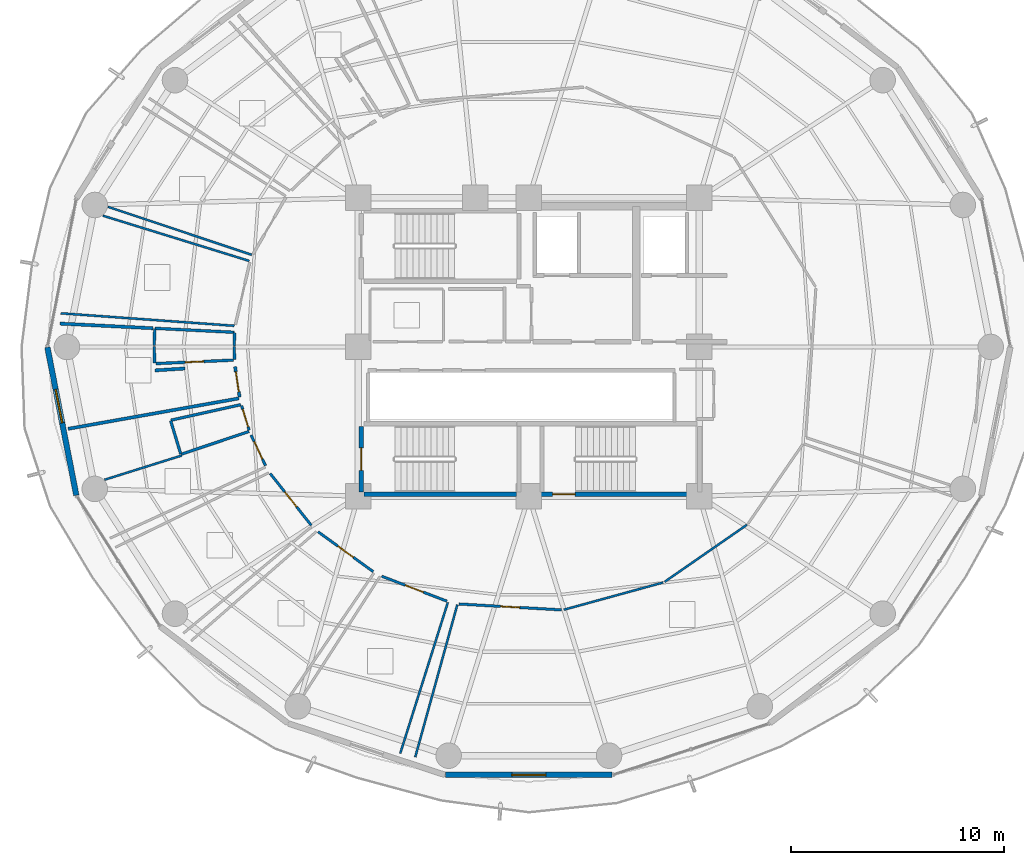
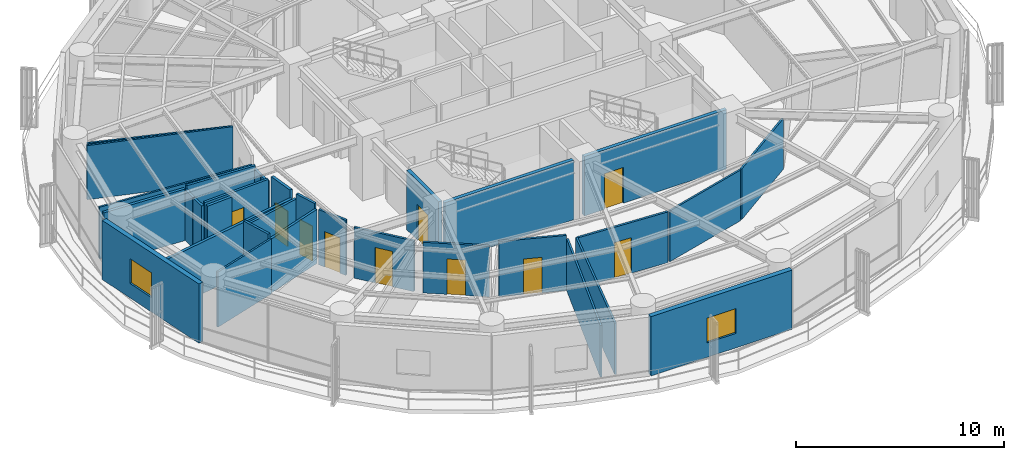
# One storey, part 21 of 28: 32 walls, 10 doors, 2 windows, 12 openings.
"""IFC4 building model written with IfcOpenShell, lengths in metres."""

from ifc_helpers import new_model, si_unit, direction, frame, frame_2d, origin, place, context, subcontext, project, spatial, rectangle, extrude, material, layer, layer_set, type_object, element, fill, save


model = new_model("IFC4")

# Units and contexts
model_context = context("Model", 3, precision=1e-05, world=origin(), true_north=direction((0.0, 1.0)))
body_context = subcontext(model_context, "Body", "Model", "MODEL_VIEW")
ifc_project = project(units=[si_unit("LENGTHUNIT", "METRE"), si_unit("AREAUNIT", "SQUARE_METRE"), si_unit("VOLUMEUNIT", "CUBIC_METRE"), si_unit("PLANEANGLEUNIT", "RADIAN"), si_unit("MASSUNIT", "GRAM", prefix="KILO")], contexts=[model_context])

# Site, building, storey
site_placement = place(None, origin())
site = spatial("IfcSite", under=ifc_project, at=site_placement, CompositionType="ELEMENT")
building_placement = place(site_placement, origin())
building = spatial("IfcBuilding", under=site, at=building_placement, Name="Kelanora Arch Commons", CompositionType="ELEMENT")
storey_placement = place(building_placement, frame((0.0, 0.0, 180.60009765625)))
storey = spatial("IfcBuildingStorey", under=building, at=storey_placement, Name="L46", CompositionType="ELEMENT", Elevation=180.60009765625)

# Wall, opening, door
ifc_material_1 = material(Name="Autoclaved aerated concrete blockwork with fire plaster", Category="masonry")
ifc_layer_1 = layer(ifc_material_1, 0.14990234375)
ifc_layer_set_1 = layer_set([ifc_layer_1], Name="Autoclaved aerated concrete blockwork with fire plaster")
wall_type_1 = type_object("IfcWallType", Name="W-COMP-150", PredefinedType="PARTITIONING", material=ifc_layer_set_1)
wall_1_placement = place(storey_placement, frame((60.212890625, 57.07568359375, 0.0), z_axis=(0.0, 0.0, 1.0), x_axis=(0.146099718117, -0.98926986832, 0.0)))
wall_1 = element("IfcWall", 1, at=wall_1_placement, inside=storey, type_object=wall_type_1, Name="Co-Living Studio L46-05 Entry Partition", PredefinedType="PARTITIONING", context=body_context, shape_type="SweptSolid", body=[
    extrude(rectangle(XDim=1.438720703125, YDim=0.14990234375, at=frame_2d((0.71923828125, 0.0))), origin(), (0.0, 0.0, 1.0), 3.47998046875),
])
opening_1_placement = place(wall_1_placement, frame((0.243896484375, 0.0, 0.0)))
opening_1 = element("IfcOpeningElement", 2, at=opening_1_placement, cuts=wall_1, Name="Opening D-CLU1", PredefinedType="OPENING", context=body_context, shape_type="SweptSolid", body=[
    extrude(rectangle(XDim=0.949951171875, YDim=2.080078125, at=frame_2d((0.47509765625, 1.0400390625))), frame((0.0, 0.0849609375, 0.0), z_axis=(0.0, -1.0, 0.0), x_axis=(1.0, 0.0, 0.0)), (0.0, 0.0, 1.0), 0.169921875),
])
ifc_material_2 = material(Name="Solid-core acoustic timber cluster entry fire door", Category="wood")
door_type_1 = type_object("IfcDoorType", Name="D-CLU-95", OperationType="NOTDEFINED", PredefinedType="DOOR", material=ifc_material_2)
door_1_placement = place(opening_1_placement, origin())
door_1 = element("IfcDoor", 3, at=door_1_placement, inside=storey, type_object=door_type_1, Name="Co-Living Studio L46-05 Door", OperationType="SINGLE_SWING_RIGHT", OverallHeight=2.080078125, OverallWidth=0.949951171875, PredefinedType="DOOR", context=body_context, shape_type="SweptSolid", body=[
    extrude(rectangle(XDim=0.949951171875, YDim=2.080078125, at=frame_2d((0.47509765625, 1.0400390625))), frame((0.0, 0.02490234375, 0.0), z_axis=(0.0, -1.0, 0.0), x_axis=(1.0, 0.0, 0.0)), (0.0, 0.0, 1.0), 0.050048828125),
])
fill(opening_1, door_1)

# Walls
wall_2_placement = place(storey_placement, frame((60.392578125, 55.5859375, 0.0), z_axis=(0.0, 0.0, 1.0), x_axis=(-0.984476835755, -0.175514557407, 0.0)))
element("IfcWall", 4, at=wall_2_placement, inside=storey, type_object=wall_type_1, Name="Co-Living Studio L46-05 Enclosure Partition 2", PredefinedType="PARTITIONING", context=body_context, shape_type="SweptSolid", body=[
    extrude(rectangle(XDim=8.1416015625, YDim=0.14990234375, at=frame_2d((4.07080078125, 0.0))), origin(), (0.0, 0.0, 1.0), 3.02490234375),
])
wall_3_placement = place(storey_placement, frame((51.993896484375, 59.095947265625, 0.0), z_axis=(0.0, 0.0, 1.0), x_axis=(0.998756789481, -0.049848525207, 0.0)))
element("IfcWall", 5, at=wall_3_placement, inside=storey, type_object=wall_type_1, Name="Co-Living Studio L46-05 Enclosure Partition 5", PredefinedType="PARTITIONING", context=body_context, shape_type="SweptSolid", body=[
    extrude(rectangle(XDim=4.37353515625, YDim=0.14990234375, at=frame_2d((2.186767578125, 0.0))), origin(), (0.0, 0.0, 1.0), 3.02490234375),
])
wall_4_placement = place(storey_placement, frame((56.4580078125, 56.8994140625, 0.0), z_axis=(0.0, 0.0, 1.0), x_axis=(0.998023505666, 0.062841722907, 0.0)))
element("IfcWall", 6, at=wall_4_placement, inside=storey, type_object=wall_type_1, Name="Co-Living Studio L46-05 Enclosure Partition 7", PredefinedType="PARTITIONING", context=body_context, shape_type="SweptSolid", body=[
    extrude(rectangle(XDim=1.41015625, YDim=0.14990234375, at=frame_2d((0.705078125, 0.0))), origin(), (0.0, 0.0, 1.0), 3.1748046875),
])

# Wall, opening, window
ifc_material_3 = material(Name="Precast concrete C40/50 with terracotta rainscreen", Category="masonry")
ifc_layer_2 = layer(ifc_material_3, 0.260009765625)
ifc_layer_set_2 = layer_set([ifc_layer_2], Name="Precast concrete C40/50 with terracotta rainscreen")
wall_type_2 = type_object("IfcWallType", Name="W-EXT-TC", PredefinedType="SOLIDWALL", material=ifc_layer_set_2)
wall_5_placement = place(storey_placement, frame((51.40283203125, 57.9853515625, 0.0), z_axis=(0.0, 0.0, 1.0), x_axis=(0.191716984769, -0.981450252306, 0.0)))
wall_5 = element("IfcWall", 7, at=wall_5_placement, inside=storey, type_object=wall_type_2, Name="Terracotta Exterior Wall L46-B09", PredefinedType="SOLIDWALL", context=body_context, shape_type="SweptSolid", body=[
    extrude(rectangle(XDim=7.0791015625, YDim=0.260009765625, at=frame_2d((3.53955078125, 0.0))), origin(), (0.0, 0.0, 1.0), 3.474853515625),
])
opening_2_placement = place(wall_5_placement, frame((2.02001953125, 0.0, 0.85009765625)))
opening_2 = element("IfcOpeningElement", 8, at=opening_2_placement, cuts=wall_5, Name="Opening WN-01", PredefinedType="OPENING", context=body_context, shape_type="SweptSolid", body=[
    extrude(rectangle(XDim=1.60009765625, YDim=1.449951171875, at=frame_2d((0.800048828125, 0.72509765625))), frame((0.0, 0.14013671875, 0.0), z_axis=(0.0, -1.0, 0.0), x_axis=(1.0, 0.0, 0.0)), (0.0, 0.0, 1.0), 0.280029296875),
])
ifc_material_4 = material(Name="Terracotta-anodised aluminium frame with operable low-E glazing", Category="masonry")
window_type = type_object("IfcWindowType", Name="WIN-CL-18", PartitioningType="DOUBLE_PANEL_VERTICAL", PredefinedType="WINDOW", material=ifc_material_4)
window_1_placement = place(opening_2_placement, origin())
window_1 = element("IfcWindow", 9, at=window_1_placement, inside=storey, type_object=window_type, Name="Co-Living Operable Window L46-B09", OverallHeight=1.449951171875, OverallWidth=1.60009765625, PartitioningType="SINGLE_PANEL", PredefinedType="WINDOW", context=body_context, shape_type="SweptSolid", body=[
    extrude(rectangle(XDim=1.60009765625, YDim=1.449951171875, at=frame_2d((0.800048828125, 0.72509765625))), frame((0.0, 0.030029296875, 0.0), z_axis=(0.0, -1.0, 0.0), x_axis=(1.0, 0.0, 0.0)), (0.0, 0.0, 1.0), 0.06005859375),
])
fill(opening_2, window_1)

wall_6_placement = place(storey_placement, frame((70.090576171875, 37.909912109375, 0.0), z_axis=(0.0, 0.0, 1.0), x_axis=(1.0, 0.0, 0.0)))
wall_6 = element("IfcWall", 10, at=wall_6_placement, inside=storey, type_object=wall_type_2, Name="Terracotta Exterior Wall L46-B13", PredefinedType="SOLIDWALL", context=body_context, shape_type="SweptSolid", body=[
    extrude(rectangle(XDim=7.81884765625, YDim=0.260009765625, at=frame_2d((3.909423828125, 0.0))), origin(), (0.0, 0.0, 1.0), 3.474853515625),
])
opening_3_placement = place(wall_6_placement, frame((3.10888671875, 0.0, 0.85009765625)))
opening_3 = element("IfcOpeningElement", 11, at=opening_3_placement, cuts=wall_6, Name="Opening WN-01", PredefinedType="OPENING", context=body_context, shape_type="SweptSolid", body=[
    extrude(rectangle(XDim=1.60009765625, YDim=1.449951171875, at=frame_2d((0.800048828125, 0.72509765625))), frame((0.0, 0.14013671875, 0.0), z_axis=(0.0, -1.0, 0.0), x_axis=(1.0, 0.0, 0.0)), (0.0, 0.0, 1.0), 0.280029296875),
])
window_2_placement = place(opening_3_placement, origin())
window_2 = element("IfcWindow", 12, at=window_2_placement, inside=storey, type_object=window_type, Name="Co-Living Operable Window L46-B13", OverallHeight=1.449951171875, OverallWidth=1.60009765625, PartitioningType="SINGLE_PANEL", PredefinedType="WINDOW", context=body_context, shape_type="SweptSolid", body=[
    extrude(rectangle(XDim=1.60009765625, YDim=1.449951171875, at=frame_2d((0.800048828125, 0.72509765625))), frame((0.0, 0.030029296875, 0.0), z_axis=(0.0, -1.0, 0.0), x_axis=(1.0, 0.0, 0.0)), (0.0, 0.0, 1.0), 0.06005859375),
])
fill(opening_3, window_2)

# Walls
ifc_material_5 = material(Name="Lightweight fire-rated acoustic stud partition")
ifc_layer_3 = layer(ifc_material_5, 0.10009765625)
ifc_layer_set_3 = layer_set([ifc_layer_3], Name="Lightweight fire-rated acoustic stud partition")
wall_type_3 = type_object("IfcWallType", Name="W-PART-100", PredefinedType="PARTITIONING", material=ifc_layer_set_3)
wall_7_placement = place(storey_placement, frame((75.640625, 45.66455078125, 0.0), z_axis=(0.0, 0.0, 1.0), x_axis=(0.964402925862, 0.264437131637, 0.0)))
element("IfcWall", 13, at=wall_7_placement, inside=storey, type_object=wall_type_3, Name="South-East Social Sky Lounge L46 Enclosure Partition 2", PredefinedType="PARTITIONING", context=body_context, shape_type="SweptSolid", body=[
    extrude(rectangle(XDim=4.8359375, YDim=0.10009765625, at=frame_2d((2.41796875, 0.0))), origin(), (0.0, 0.0, 1.0), 2.974853515625),
])
wall_8_placement = place(storey_placement, frame((80.3759765625, 46.976806640625, 0.0), z_axis=(0.0, 0.0, 1.0), x_axis=(0.821969471946, 0.569531550653, 0.0)))
element("IfcWall", 14, at=wall_8_placement, inside=storey, type_object=wall_type_3, Name="South-East Social Sky Lounge L46 Enclosure Partition 3", PredefinedType="PARTITIONING", context=body_context, shape_type="SweptSolid", body=[
    extrude(rectangle(XDim=4.697265625, YDim=0.10009765625, at=frame_2d((2.3486328125, 0.0))), origin(), (0.0, 0.0, 1.0), 2.974853515625),
])
wall_9_placement = place(storey_placement, frame((68.668701171875, 38.74951171875, 0.0), z_axis=(0.0, 0.0, 1.0), x_axis=(0.26617364863, 0.963925095002, 0.0)))
element("IfcWall", 15, at=wall_9_placement, inside=storey, type_object=wall_type_3, Name="South-East Social Sky Lounge L46 Enclosure Partition 10", PredefinedType="PARTITIONING", context=body_context, shape_type="SweptSolid", body=[
    extrude(rectangle(XDim=7.41845703125, YDim=0.10009765625, at=frame_2d((3.709228515625, 0.0))), origin(), (0.0, 0.0, 1.0), 3.02490234375),
])
wall_10_placement = place(storey_placement, frame((60.9912109375, 62.32470703125, 0.0), z_axis=(0.0, 0.0, 1.0), x_axis=(-0.948483978449, 0.316825097847, 0.0)))
element("IfcWall", 16, at=wall_10_placement, inside=storey, type_object=wall_type_3, Name="Shared Cluster Kitchen L46-03 Enclosure Partition 2", PredefinedType="PARTITIONING", context=body_context, shape_type="SweptSolid", body=[
    extrude(rectangle(XDim=7.11083984375, YDim=0.10009765625, at=frame_2d((3.555419921875, 0.0))), origin(), (0.0, 0.0, 1.0), 2.974853515625),
])
wall_11_placement = place(storey_placement, frame((60.174072265625, 58.992919921875, 0.0), z_axis=(0.0, 0.0, 1.0), x_axis=(-0.997411279475, 0.071907854766, 0.0)))
element("IfcWall", 17, at=wall_11_placement, inside=storey, type_object=wall_type_3, Name="Social Sky Lounge L46-04 Enclosure Partition 2", PredefinedType="PARTITIONING", context=body_context, shape_type="SweptSolid", body=[
    extrude(rectangle(XDim=8.16552734375, YDim=0.10009765625, at=frame_2d((4.082763671875, 0.0))), origin(), (0.0, 0.0, 1.0), 3.02490234375),
])
wall_12_placement = place(storey_placement, frame((54.0029296875, 64.1630859375, 0.0), z_axis=(0.0, 0.0, 1.0), x_axis=(0.955390108929, -0.295346812679, 0.0)))
element("IfcWall", 18, at=wall_12_placement, inside=storey, type_object=wall_type_3, Name="Social Sky Lounge L46-04 Enclosure Partition 4", PredefinedType="PARTITIONING", context=body_context, shape_type="SweptSolid", body=[
    extrude(rectangle(XDim=7.19580078125, YDim=0.10009765625, at=frame_2d((3.597900390625, 0.0))), origin(), (0.0, 0.0, 1.0), 3.1748046875),
])
wall_13_placement = place(storey_placement, frame((54.082763671875, 51.765380859375, 0.0), z_axis=(0.0, 0.0, 1.0), x_axis=(0.954047805858, 0.299654441212, 0.0)))
element("IfcWall", 19, at=wall_13_placement, inside=storey, type_object=wall_type_3, Name="Tutorial Study Alcove L46-06 Enclosure Partition 4", PredefinedType="PARTITIONING", context=body_context, shape_type="SweptSolid", body=[
    extrude(rectangle(XDim=3.79833984375, YDim=0.10009765625, at=frame_2d((1.899169921875, 0.0))), origin(), (0.0, 0.0, 1.0), 3.23486328125),
])
wall_14_placement = place(storey_placement, frame((70.198974609375, 46.0078125, 0.0), z_axis=(0.0, 0.0, 1.0), x_axis=(-0.300834252316, -0.953676440222, 0.0)))
element("IfcWall", 20, at=wall_14_placement, inside=storey, type_object=wall_type_3, Name="Social Sky Lounge L46-09 Enclosure Partition 2", PredefinedType="PARTITIONING", context=body_context, shape_type="SweptSolid", body=[
    extrude(rectangle(XDim=7.432861328125, YDim=0.10009765625, at=frame_2d((3.71630859375, 0.0))), origin(), (0.0, 0.0, 1.0), 3.02490234375),
])

# Wall, opening, door
ifc_material_6 = material(Name="Acoustic twin-stud fire-rated gypsum partition")
ifc_layer_4 = layer(ifc_material_6, 0.1201171875)
ifc_layer_set_4 = layer_set([ifc_layer_4], Name="Acoustic twin-stud fire-rated gypsum partition")
wall_type_4 = type_object("IfcWallType", Name="W-PART-120", PredefinedType="PARTITIONING", material=ifc_layer_set_4)
wall_15_placement = place(storey_placement, frame((70.7138671875, 45.935546875, 0.0), z_axis=(0.0, 0.0, 1.0), x_axis=(0.998345519296, -0.057499774802, 0.0)))
wall_15 = element("IfcWall", 21, at=wall_15_placement, inside=storey, type_object=wall_type_4, Name="South-East Social Sky Lounge L46 Entry Partition", PredefinedType="PARTITIONING", context=body_context, shape_type="SweptSolid", body=[
    extrude(rectangle(XDim=4.836181640625, YDim=0.1201171875, at=frame_2d((2.41796875, 0.0))), origin(), (0.0, 0.0, 1.0), 2.974853515625),
])
opening_4_placement = place(wall_15_placement, frame((1.968017578125, 0.0, 0.0)))
opening_4 = element("IfcOpeningElement", 22, at=opening_4_placement, cuts=wall_15, Name="Opening D-RM1", PredefinedType="OPENING", context=body_context, shape_type="SweptSolid", body=[
    extrude(rectangle(XDim=0.89990234375, YDim=2.080078125, at=frame_2d((0.449951171875, 1.0400390625))), frame((0.0, 0.070068359375, 0.0), z_axis=(0.0, -1.0, 0.0), x_axis=(1.0, 0.0, 0.0)), (0.0, 0.0, 1.0), 0.14013671875),
])
ifc_material_7 = material(Name="Acoustic fire-rated timber study and lounge door", Category="wood")
door_type_2 = type_object("IfcDoorType", Name="D-ROOM-90", OperationType="NOTDEFINED", PredefinedType="DOOR", material=ifc_material_7)
door_2_placement = place(opening_4_placement, origin())
door_2 = element("IfcDoor", 23, at=door_2_placement, inside=storey, type_object=door_type_2, Name="South-East Social Sky Lounge L46 Door", OperationType="SINGLE_SWING_RIGHT", OverallHeight=2.080078125, OverallWidth=0.89990234375, PredefinedType="DOOR", context=body_context, shape_type="SweptSolid", body=[
    extrude(rectangle(XDim=0.89990234375, YDim=2.080078125, at=frame_2d((0.449951171875, 1.0400390625))), frame((0.0, 0.02490234375, 0.0), z_axis=(0.0, -1.0, 0.0), x_axis=(1.0, 0.0, 0.0)), (0.0, 0.0, 1.0), 0.050048828125),
])
fill(opening_4, door_2)

wall_16_placement = place(storey_placement, frame((60.962646484375, 53.86376953125, 0.0), z_axis=(0.0, 0.0, 1.0), x_axis=(0.427397920828, -0.904063613509, 0.0)))
wall_16 = element("IfcWall", 24, at=wall_16_placement, inside=storey, type_object=wall_type_4, Name="Tutorial Study Alcove L46-06 Entry Partition", PredefinedType="PARTITIONING", context=body_context, shape_type="SweptSolid", body=[
    extrude(rectangle(XDim=1.585693359375, YDim=0.1201171875, at=frame_2d((0.79296875, 0.0))), origin(), (0.0, 0.0, 1.0), 3.23486328125),
])
opening_5_placement = place(wall_16_placement, frame((0.343017578125, 0.0, 0.0)))
opening_5 = element("IfcOpeningElement", 25, at=opening_5_placement, cuts=wall_16, Name="Opening D-RM1", PredefinedType="OPENING", context=body_context, shape_type="SweptSolid", body=[
    extrude(rectangle(XDim=0.89990234375, YDim=2.080078125, at=frame_2d((0.449951171875, 1.0400390625))), frame((0.0, 0.070068359375, 0.0), z_axis=(0.0, -1.0, 0.0), x_axis=(1.0, 0.0, 0.0)), (0.0, 0.0, 1.0), 0.14013671875),
])
door_3_placement = place(opening_5_placement, origin())
door_3 = element("IfcDoor", 26, at=door_3_placement, inside=storey, type_object=door_type_2, Name="Tutorial Study Alcove L46-06 Door", OperationType="SINGLE_SWING_RIGHT", OverallHeight=2.080078125, OverallWidth=0.89990234375, PredefinedType="DOOR", context=body_context, shape_type="SweptSolid", body=[
    extrude(rectangle(XDim=0.89990234375, YDim=2.080078125, at=frame_2d((0.449951171875, 1.0400390625))), frame((0.0, 0.02490234375, 0.0), z_axis=(0.0, -1.0, 0.0), x_axis=(1.0, 0.0, 0.0)), (0.0, 0.0, 1.0), 0.050048828125),
])
fill(opening_5, door_3)

wall_17_placement = place(storey_placement, frame((61.8603515625, 52.06005859375, 0.0), z_axis=(0.0, 0.0, 1.0), x_axis=(0.621061577605, -0.783761773005, 0.0)))
wall_17 = element("IfcWall", 27, at=wall_17_placement, inside=storey, type_object=wall_type_4, Name="Quiet Seminar Study Room L46-07 Entry Partition", PredefinedType="PARTITIONING", context=body_context, shape_type="SweptSolid", body=[
    extrude(rectangle(XDim=3.10302734375, YDim=0.1201171875, at=frame_2d((1.551513671875, 0.0))), origin(), (0.0, 0.0, 1.0), 2.974853515625),
])
opening_6_placement = place(wall_17_placement, frame((1.10205078125, 0.0, 0.0)))
opening_6 = element("IfcOpeningElement", 28, at=opening_6_placement, cuts=wall_17, Name="Opening D-RM1", PredefinedType="OPENING", context=body_context, shape_type="SweptSolid", body=[
    extrude(rectangle(XDim=0.89990234375, YDim=2.080078125, at=frame_2d((0.449951171875, 1.0400390625))), frame((0.0, 0.070068359375, 0.0), z_axis=(0.0, -1.0, 0.0), x_axis=(1.0, 0.0, 0.0)), (0.0, 0.0, 1.0), 0.14013671875),
])
door_4_placement = place(opening_6_placement, origin())
door_4 = element("IfcDoor", 29, at=door_4_placement, inside=storey, type_object=door_type_2, Name="Quiet Seminar Study Room L46-07 Door", OperationType="SINGLE_SWING_LEFT", OverallHeight=2.080078125, OverallWidth=0.89990234375, PredefinedType="DOOR", context=body_context, shape_type="SweptSolid", body=[
    extrude(rectangle(XDim=0.89990234375, YDim=2.080078125, at=frame_2d((0.449951171875, 1.0400390625))), frame((0.0, 0.02490234375, 0.0), z_axis=(0.0, -1.0, 0.0), x_axis=(1.0, 0.0, 0.0)), (0.0, 0.0, 1.0), 0.050048828125),
])
fill(opening_6, door_4)

wall_18_placement = place(storey_placement, frame((64.105712890625, 49.324951171875, 0.0), z_axis=(0.0, 0.0, 1.0), x_axis=(0.810538273734, -0.585685672364, 0.0)))
wall_18 = element("IfcWall", 30, at=wall_18_placement, inside=storey, type_object=wall_type_4, Name="Shared Cluster Kitchen L46-08 Entry Partition", PredefinedType="PARTITIONING", context=body_context, shape_type="SweptSolid", body=[
    extrude(rectangle(XDim=3.197509765625, YDim=0.1201171875, at=frame_2d((1.5986328125, 0.0))), origin(), (0.0, 0.0, 1.0), 2.974853515625),
])
opening_7_placement = place(wall_18_placement, frame((1.14892578125, 0.0, 0.0)))
opening_7 = element("IfcOpeningElement", 31, at=opening_7_placement, cuts=wall_18, Name="Opening D-RM1", PredefinedType="OPENING", context=body_context, shape_type="SweptSolid", body=[
    extrude(rectangle(XDim=0.89990234375, YDim=2.080078125, at=frame_2d((0.449951171875, 1.0400390625))), frame((0.0, 0.070068359375, 0.0), z_axis=(0.0, -1.0, 0.0), x_axis=(1.0, 0.0, 0.0)), (0.0, 0.0, 1.0), 0.14013671875),
])
door_5_placement = place(opening_7_placement, origin())
door_5 = element("IfcDoor", 32, at=door_5_placement, inside=storey, type_object=door_type_2, Name="Shared Cluster Kitchen L46-08 Door", OperationType="SINGLE_SWING_RIGHT", OverallHeight=2.080078125, OverallWidth=0.89990234375, PredefinedType="DOOR", context=body_context, shape_type="SweptSolid", body=[
    extrude(rectangle(XDim=0.89990234375, YDim=2.080078125, at=frame_2d((0.449951171875, 1.0400390625))), frame((0.0, 0.02490234375, 0.0), z_axis=(0.0, -1.0, 0.0), x_axis=(1.0, 0.0, 0.0)), (0.0, 0.0, 1.0), 0.050048828125),
])
fill(opening_7, door_5)

wall_19_placement = place(storey_placement, frame((67.092041015625, 47.239501953125, 0.0), z_axis=(0.0, 0.0, 1.0), x_axis=(0.93395246748, -0.35739724186, 0.0)))
wall_19 = element("IfcWall", 33, at=wall_19_placement, inside=storey, type_object=wall_type_4, Name="Social Sky Lounge L46-09 Entry Partition", PredefinedType="PARTITIONING", context=body_context, shape_type="SweptSolid", body=[
    extrude(rectangle(XDim=3.279541015625, YDim=0.1201171875, at=frame_2d((1.6396484375, 0.0))), origin(), (0.0, 0.0, 1.0), 3.23486328125),
])
opening_8_placement = place(wall_19_placement, frame((1.18994140625, 0.0, 0.0)))
opening_8 = element("IfcOpeningElement", 34, at=opening_8_placement, cuts=wall_19, Name="Opening D-RM1", PredefinedType="OPENING", context=body_context, shape_type="SweptSolid", body=[
    extrude(rectangle(XDim=0.89990234375, YDim=2.080078125, at=frame_2d((0.449951171875, 1.0400390625))), frame((0.0, 0.070068359375, 0.0), z_axis=(0.0, -1.0, 0.0), x_axis=(1.0, 0.0, 0.0)), (0.0, 0.0, 1.0), 0.14013671875),
])
door_6_placement = place(opening_8_placement, origin())
door_6 = element("IfcDoor", 35, at=door_6_placement, inside=storey, type_object=door_type_2, Name="Social Sky Lounge L46-09 Door", OperationType="SINGLE_SWING_LEFT", OverallHeight=2.080078125, OverallWidth=0.89990234375, PredefinedType="DOOR", context=body_context, shape_type="SweptSolid", body=[
    extrude(rectangle(XDim=0.89990234375, YDim=2.080078125, at=frame_2d((0.449951171875, 1.0400390625))), frame((0.0, 0.02490234375, 0.0), z_axis=(0.0, -1.0, 0.0), x_axis=(1.0, 0.0, 0.0)), (0.0, 0.0, 1.0), 0.050048828125),
])
fill(opening_8, door_6)

ifc_material_8 = material(Name="Concrete C40/50", Category="concrete")
ifc_layer_5 = layer(ifc_material_8, 0.199951171875)
ifc_layer_set_5 = layer_set([ifc_layer_5], Name="Concrete C40/50")
wall_type_5 = type_object("IfcWallType", Name="W-STAIR-200", PredefinedType="SHEAR", material=ifc_layer_set_5)
wall_20_placement = place(storey_placement, frame((74.0, 51.080078125, 0.0), z_axis=(0.0, 0.0, 1.0), x_axis=(1.0, 0.0, 0.0)))
wall_20 = element("IfcWall", 36, at=wall_20_placement, inside=storey, type_object=wall_type_5, Name="Stair ST-T2 Shaft Wall S L46", PredefinedType="SHEAR", context=body_context, shape_type="SweptSolid", body=[
    extrude(rectangle(XDim=7.89990234375, YDim=0.199951171875, at=frame_2d((3.949951171875, 0.0))), origin(), (0.0, 0.0, 1.0), 3.489990234375),
])
opening_9_placement = place(wall_20_placement, frame((1.1201171875, 0.0, 0.0)))
opening_9 = element("IfcOpeningElement", 37, at=opening_9_placement, cuts=wall_20, Name="Opening D-ST1", PredefinedType="OPENING", context=body_context, shape_type="SweptSolid", body=[
    extrude(rectangle(XDim=1.050048828125, YDim=2.10009765625, at=frame_2d((0.52490234375, 1.050048828125))), frame((0.0, 0.10986328125, 0.0), z_axis=(0.0, -1.0, 0.0), x_axis=(1.0, 0.0, 0.0)), (0.0, 0.0, 1.0), 0.219970703125),
])
ifc_material_9 = material(Name="Steel fire-rated stairwell escape door", Category="steel")
door_type_3 = type_object("IfcDoorType", Name="D-STAIR-110", OperationType="NOTDEFINED", PredefinedType="DOOR", material=ifc_material_9)
door_7_placement = place(opening_9_placement, origin())
door_7 = element("IfcDoor", 38, at=door_7_placement, inside=storey, type_object=door_type_3, Name="Stair ST-T2 Escape Door L46", OperationType="SINGLE_SWING_LEFT", OverallHeight=2.10009765625, OverallWidth=1.050048828125, PredefinedType="DOOR", context=body_context, shape_type="SweptSolid", body=[
    extrude(rectangle(XDim=1.050048828125, YDim=2.10009765625, at=frame_2d((0.52490234375, 1.050048828125))), frame((0.0, 0.02490234375, 0.0), z_axis=(0.0, -1.0, 0.0), x_axis=(1.0, 0.0, 0.0)), (0.0, 0.0, 1.0), 0.050048828125),
])
fill(opening_9, door_7)

# Wall
wall_21_placement = place(storey_placement, frame((66.260009765625, 51.080078125, 0.0), z_axis=(0.0, 0.0, 1.0), x_axis=(1.0, 0.0, 0.0)))
element("IfcWall", 39, at=wall_21_placement, inside=storey, type_object=wall_type_5, Name="Stair ST-T3 Shaft Wall S L46", PredefinedType="SHEAR", context=body_context, shape_type="SweptSolid", body=[
    extrude(rectangle(XDim=7.159912109375, YDim=0.199951171875, at=frame_2d((3.580078125, 0.0))), origin(), (0.0, 0.0, 1.0), 3.489990234375),
])

# Wall, opening, door
wall_22_placement = place(storey_placement, frame((66.139892578125, 54.27001953125, 0.0), z_axis=(0.0, 0.0, 1.0), x_axis=(0.0, -1.0, 0.0)))
wall_22 = element("IfcWall", 40, at=wall_22_placement, inside=storey, type_object=wall_type_5, Name="Stair ST-T3 Shaft Wall W L46", PredefinedType="SHEAR", context=body_context, shape_type="SweptSolid", body=[
    extrude(rectangle(XDim=3.070068359375, YDim=0.199951171875, at=frame_2d((1.53515625, 0.0))), origin(), (0.0, 0.0, 1.0), 3.489990234375),
])
opening_10_placement = place(wall_22_placement, frame((1.010009765625, 0.0, 0.0)))
opening_10 = element("IfcOpeningElement", 41, at=opening_10_placement, cuts=wall_22, Name="Opening D-ST1", PredefinedType="OPENING", context=body_context, shape_type="SweptSolid", body=[
    extrude(rectangle(XDim=1.050048828125, YDim=2.10009765625, at=frame_2d((0.52490234375, 1.050048828125))), frame((0.0, 0.10986328125, 0.0), z_axis=(0.0, -1.0, 0.0), x_axis=(1.0, 0.0, 0.0)), (0.0, 0.0, 1.0), 0.219970703125),
])
door_8_placement = place(opening_10_placement, origin())
door_8 = element("IfcDoor", 42, at=door_8_placement, inside=storey, type_object=door_type_3, Name="Stair ST-T3 Escape Door L46", OperationType="SINGLE_SWING_LEFT", OverallHeight=2.10009765625, OverallWidth=1.050048828125, PredefinedType="DOOR", context=body_context, shape_type="SweptSolid", body=[
    extrude(rectangle(XDim=1.050048828125, YDim=2.10009765625, at=frame_2d((0.52490234375, 1.050048828125))), frame((0.0, 0.02490234375, 0.0), z_axis=(0.0, -1.0, 0.0), x_axis=(1.0, 0.0, 0.0)), (0.0, 0.0, 1.0), 0.050048828125),
])
fill(opening_10, door_8)

ifc_material_10 = material(Name="Moisture-resistant fire-rated cement-board plumbing wall")
ifc_layer_6 = layer(ifc_material_10, 0.1298828125)
ifc_layer_set_6 = layer_set([ifc_layer_6], Name="Moisture-resistant fire-rated cement-board plumbing wall")
wall_type_6 = type_object("IfcWallType", Name="W-WET-120", PredefinedType="PLUMBINGWALL", material=ifc_layer_set_6)
wall_23_placement = place(storey_placement, frame((60.127197265625, 57.38134765625, 0.0), z_axis=(0.0, 0.0, 1.0), x_axis=(-0.998998516644, -0.044743309488, 0.0)))
wall_23 = element("IfcWall", 43, at=wall_23_placement, inside=storey, type_object=wall_type_6, Name="En-Suite Shower WC L46-05 Entry Partition", PredefinedType="PLUMBINGWALL", context=body_context, shape_type="SweptSolid", body=[
    extrude(rectangle(XDim=3.634033203125, YDim=0.1298828125, at=frame_2d((1.81689453125, 0.0))), origin(), (0.0, 0.0, 1.0), 3.1748046875),
])
opening_11_placement = place(wall_23_placement, frame((1.386962890625, 0.0, 0.0)))
opening_11 = element("IfcOpeningElement", 44, at=opening_11_placement, cuts=wall_23, Name="Opening D-BT1", PredefinedType="OPENING", context=body_context, shape_type="SweptSolid", body=[
    extrude(rectangle(XDim=0.860107421875, YDim=2.050048828125, at=frame_2d((0.43017578125, 1.02490234375))), frame((0.0, 0.074951171875, 0.0), z_axis=(0.0, -1.0, 0.0), x_axis=(1.0, 0.0, 0.0)), (0.0, 0.0, 1.0), 0.14990234375),
])
ifc_material_11 = material(Name="Moisture-sealed fire-rated accessible bathroom door")
door_type_4 = type_object("IfcDoorType", Name="D-BATH-85", OperationType="NOTDEFINED", PredefinedType="DOOR", material=ifc_material_11)
door_9_placement = place(opening_11_placement, origin())
door_9 = element("IfcDoor", 45, at=door_9_placement, inside=storey, type_object=door_type_4, Name="En-Suite Shower WC L46-05 Door", OperationType="SINGLE_SWING_LEFT", OverallHeight=2.050048828125, OverallWidth=0.860107421875, PredefinedType="DOOR", context=body_context, shape_type="SweptSolid", body=[
    extrude(rectangle(XDim=0.860107421875, YDim=2.050048828125, at=frame_2d((0.43017578125, 1.02490234375))), frame((0.0, 0.02490234375, 0.0), z_axis=(0.0, -1.0, 0.0), x_axis=(1.0, 0.0, 0.0)), (0.0, 0.0, 1.0), 0.050048828125),
])
fill(opening_11, door_9)

wall_24_placement = place(storey_placement, frame((60.518798828125, 55.23876953125, 0.0), z_axis=(0.0, 0.0, 1.0), x_axis=(0.296096905528, -0.955157904504, 0.0)))
wall_24 = element("IfcWall", 46, at=wall_24_placement, inside=storey, type_object=wall_type_6, Name="Accessible Shared Floor WC L46-06 Entry Partition", PredefinedType="PLUMBINGWALL", context=body_context, shape_type="SweptSolid", body=[
    extrude(rectangle(XDim=1.19384765625, YDim=0.1298828125, at=frame_2d((0.596923828125, 0.0))), origin(), (0.0, 0.0, 1.0), 3.47998046875),
])
opening_12_placement = place(wall_24_placement, frame((0.1669921875, 0.0, 0.0)))
opening_12 = element("IfcOpeningElement", 47, at=opening_12_placement, cuts=wall_24, Name="Opening D-BT1", PredefinedType="OPENING", context=body_context, shape_type="SweptSolid", body=[
    extrude(rectangle(XDim=0.860107421875, YDim=2.050048828125, at=frame_2d((0.43017578125, 1.02490234375))), frame((0.0, 0.074951171875, 0.0), z_axis=(0.0, -1.0, 0.0), x_axis=(1.0, 0.0, 0.0)), (0.0, 0.0, 1.0), 0.14990234375),
])
door_10_placement = place(opening_12_placement, origin())
door_10 = element("IfcDoor", 48, at=door_10_placement, inside=storey, type_object=door_type_4, Name="Accessible Shared Floor WC L46-06 Door", OperationType="SINGLE_SWING_LEFT", OverallHeight=2.050048828125, OverallWidth=0.860107421875, PredefinedType="DOOR", context=body_context, shape_type="SweptSolid", body=[
    extrude(rectangle(XDim=0.860107421875, YDim=2.050048828125, at=frame_2d((0.43017578125, 1.02490234375))), frame((0.0, 0.02490234375, 0.0), z_axis=(0.0, -1.0, 0.0), x_axis=(1.0, 0.0, 0.0)), (0.0, 0.0, 1.0), 0.050048828125),
])
fill(opening_12, door_10)

# Walls
wall_25_placement = place(storey_placement, frame((60.1904296875, 58.6669921875, 0.0), z_axis=(0.0, 0.0, 1.0), x_axis=(-0.032292682442, -0.999478455326, 0.0)))
element("IfcWall", 49, at=wall_25_placement, inside=storey, type_object=wall_type_6, Name="En-Suite Shower WC L46-05 Enclosure Partition 1", PredefinedType="PLUMBINGWALL", context=body_context, shape_type="SweptSolid", body=[
    extrude(rectangle(XDim=0.6123046875, YDim=0.1298828125, at=frame_2d((0.30615234375, 0.0))), origin(), (0.0, 0.0, 1.0), 2.974853515625),
])
wall_26_placement = place(storey_placement, frame((60.17041015625, 58.014892578125, 0.0), z_axis=(0.0, 0.0, 1.0), x_axis=(0.026369723842, -0.99965225837, 0.0)))
element("IfcWall", 50, at=wall_26_placement, inside=storey, type_object=wall_type_6, Name="En-Suite Shower WC L46-05 Enclosure Partition 2", PredefinedType="PLUMBINGWALL", context=body_context, shape_type="SweptSolid", body=[
    extrude(rectangle(XDim=0.611083984375, YDim=0.1298828125, at=frame_2d((0.3056640625, 0.0))), origin(), (0.0, 0.0, 1.0), 2.974853515625),
])
wall_27_placement = place(storey_placement, frame((56.4365234375, 57.236083984375, 0.0), z_axis=(0.0, 0.0, 1.0), x_axis=(-0.026607722643, 0.999645951873, 0.0)))
element("IfcWall", 51, at=wall_27_placement, inside=storey, type_object=wall_type_6, Name="En-Suite Shower WC L46-05 Enclosure Partition 4", PredefinedType="PLUMBINGWALL", context=body_context, shape_type="SweptSolid", body=[
    extrude(rectangle(XDim=0.7890625, YDim=0.1298828125, at=frame_2d((0.39453125, 0.0))), origin(), (0.0, 0.0, 1.0), 2.974853515625),
])
wall_28_placement = place(storey_placement, frame((56.415771484375, 58.06494140625, 0.0), z_axis=(0.0, 0.0, 1.0), x_axis=(0.03247049286, 0.999472694521, 0.0)))
element("IfcWall", 52, at=wall_28_placement, inside=storey, type_object=wall_type_6, Name="En-Suite Shower WC L46-05 Enclosure Partition 5", PredefinedType="PLUMBINGWALL", context=body_context, shape_type="SweptSolid", body=[
    extrude(rectangle(XDim=0.78955078125, YDim=0.1298828125, at=frame_2d((0.394775390625, 0.0))), origin(), (0.0, 0.0, 1.0), 2.974853515625),
])
wall_29_placement = place(storey_placement, frame((56.4619140625, 58.873046875, 0.0), z_axis=(0.0, 0.0, 1.0), x_axis=(0.998757579638, -0.049832691243, 0.0)))
element("IfcWall", 53, at=wall_29_placement, inside=storey, type_object=wall_type_6, Name="En-Suite Shower WC L46-05 Enclosure Partition 6", PredefinedType="PLUMBINGWALL", context=body_context, shape_type="SweptSolid", body=[
    extrude(rectangle(XDim=3.713623046875, YDim=0.1298828125, at=frame_2d((1.85693359375, 0.0))), origin(), (0.0, 0.0, 1.0), 3.1748046875),
])
wall_30_placement = place(storey_placement, frame((60.87109375, 54.03466796875, 0.0), z_axis=(0.0, 0.0, 1.0), x_axis=(-0.947910298115, -0.318537386704, 0.0)))
element("IfcWall", 54, at=wall_30_placement, inside=storey, type_object=wall_type_6, Name="Accessible Shared Floor WC L46-06 Enclosure Partition 2", PredefinedType="PLUMBINGWALL", context=body_context, shape_type="SweptSolid", body=[
    extrude(rectangle(XDim=3.360107421875, YDim=0.1298828125, at=frame_2d((1.68017578125, 0.0))), origin(), (0.0, 0.0, 1.0), 3.1748046875),
])
wall_31_placement = place(storey_placement, frame((57.6611328125, 52.97705078125, 0.0), z_axis=(0.0, 0.0, 1.0), x_axis=(-0.289861876094, 0.957068489079, 0.0)))
element("IfcWall", 55, at=wall_31_placement, inside=storey, type_object=wall_type_6, Name="Accessible Shared Floor WC L46-06 Enclosure Partition 3", PredefinedType="PLUMBINGWALL", context=body_context, shape_type="SweptSolid", body=[
    extrude(rectangle(XDim=1.6298828125, YDim=0.1298828125, at=frame_2d((0.81494140625, 0.0))), origin(), (0.0, 0.0, 1.0), 3.47998046875),
])
wall_32_placement = place(storey_placement, frame((57.202392578125, 54.560302734375, 0.0), z_axis=(0.0, 0.0, 1.0), x_axis=(0.976027779337, 0.217645983107, 0.0)))
element("IfcWall", 56, at=wall_32_placement, inside=storey, type_object=wall_type_6, Name="Accessible Shared Floor WC L46-06 Enclosure Partition 4", PredefinedType="PLUMBINGWALL", context=body_context, shape_type="SweptSolid", body=[
    extrude(rectangle(XDim=3.359619140625, YDim=0.1298828125, at=frame_2d((1.6796875, 0.0))), origin(), (0.0, 0.0, 1.0), 3.1748046875),
])

save(model, "model.ifc")
